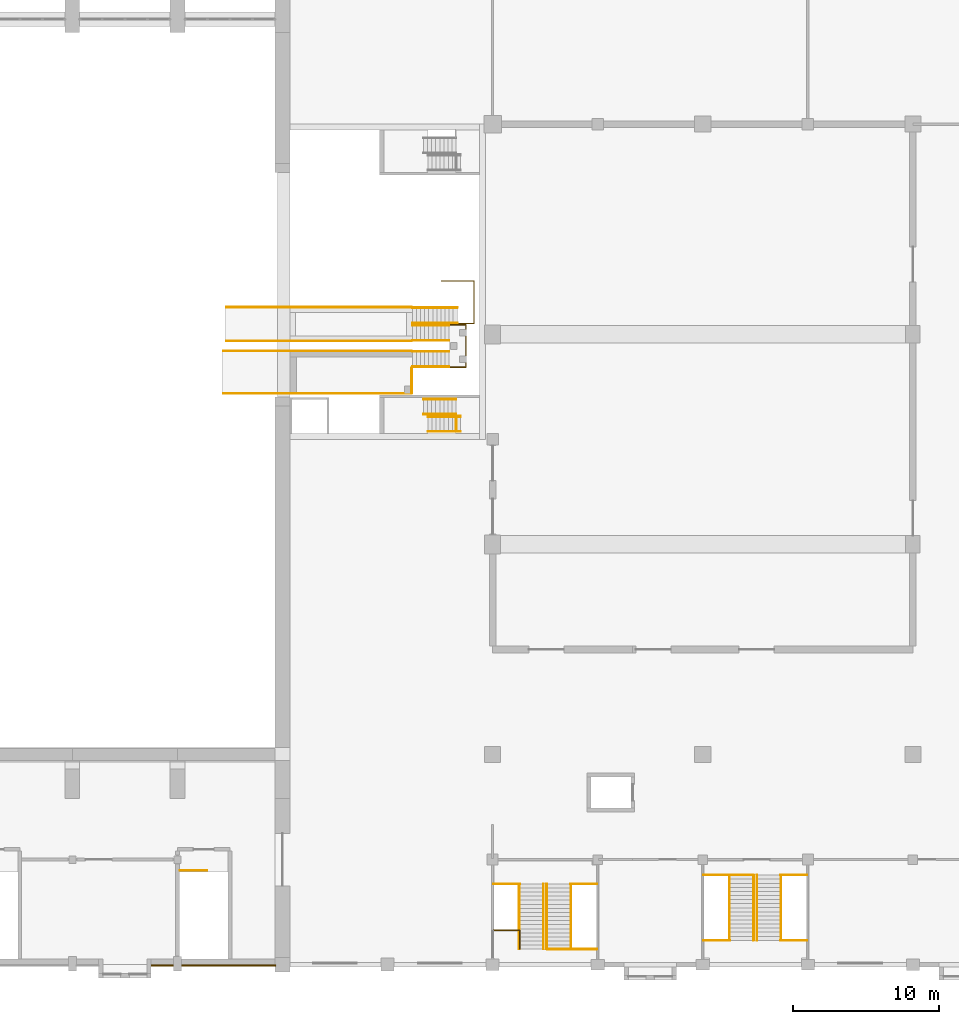
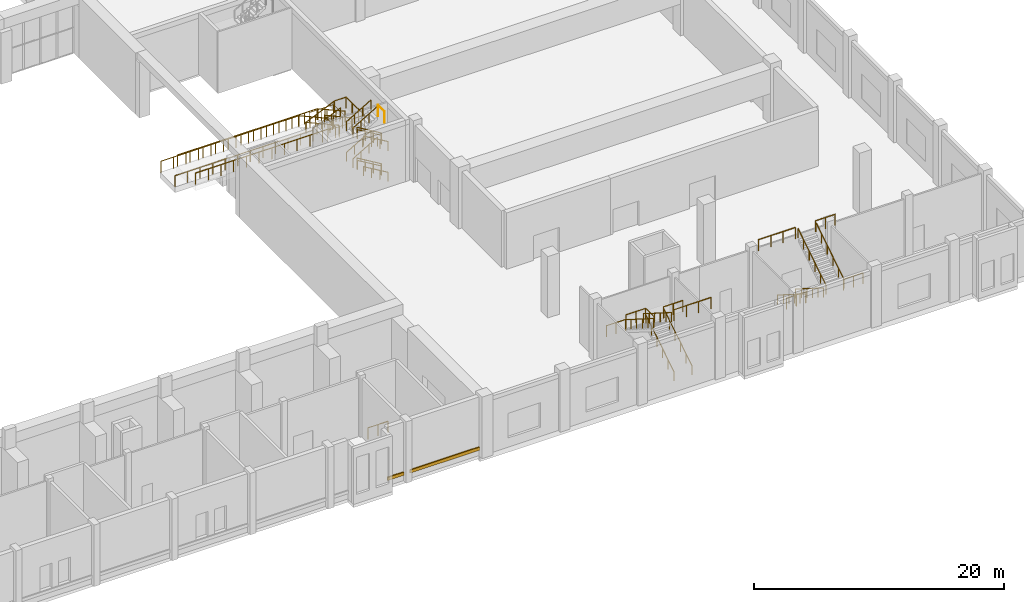
# One storey, part 41 of 44: 41 railings, 2 coverings.
"""IFC4 building model written with IfcOpenShell, lengths in metres."""

import ifcopenshell
import ifcopenshell.guid

model = None  # the IFC model being written
_history = None  # IfcOwnerHistory: only IFC2X3 demands one
_inside = {}  # id of a spatial element -> (the spatial element, [elements in it])
_under = {}  # id of a project, library or spatial element -> (it, [spatial elements below it])
_declared = {}  # id of a project -> (the project, [libraries it declares])
_typed = {}  # id of a type object -> (the type object, [elements of that type])
_made_of = {}  # id of a material, layer set ... -> (it, [elements and type objects made of it])


def new_model(schema):
    """Start an empty IFC model of exactly this schema.

    Asked for "IFC4X3", IfcOpenShell would pick the latest addendum, in which some entities
    have other attributes; the version numbers below select the first issue.
    IFC2X3 requires an IfcOwnerHistory on every rooted entity: one is made here for all.
    """
    global model, _history
    if schema == "IFC4X3":
        model = ifcopenshell.file(schema_version=(4, 3, 0, 0))
    else:
        model = ifcopenshell.file(schema=schema)
    _inside.clear()
    _under.clear()
    _declared.clear()
    _typed.clear()
    _made_of.clear()
    _history = None
    if model.schema == "IFC2X3":
        org = make("IfcOrganization", Name="unknown")
        user = make(
            "IfcPersonAndOrganization",
            ThePerson=make("IfcPerson", FamilyName="unknown"),
            TheOrganization=org,
        )
        app = make(
            "IfcApplication",
            ApplicationDeveloper=org,
            Version="unknown",
            ApplicationFullName="unknown",
            ApplicationIdentifier="unknown",
        )
        _history = make(
            "IfcOwnerHistory",
            OwningUser=user,
            OwningApplication=app,
            ChangeAction="ADDED",
            CreationDate=0,
        )
    return model


def make(cls, **values):
    """One entity of the class cls with the attributes given. An attribute that is None is left unset."""
    return model.create_entity(
        cls, **{name: value for name, value in values.items() if value is not None}
    )


def rooted(cls, **values):
    """An entity with a GlobalId (a new one), such as an element, a storey or a relation."""
    return make(cls, GlobalId=ifcopenshell.guid.new(), OwnerHistory=_history, **values)


def si_unit(unit_type, name, prefix=None):
    """IfcSIUnit, for example si_unit("LENGTHUNIT", "METRE", prefix="MILLI")."""
    return make("IfcSIUnit", UnitType=unit_type, Prefix=prefix, Name=name)


def assignment(units):
    """IfcUnitAssignment: the units of a project."""
    return None if units is None else make("IfcUnitAssignment", Units=units)


def point(xyz):
    """IfcCartesianPoint."""
    return None if xyz is None else make("IfcCartesianPoint", Coordinates=xyz)


def direction(xyz):
    """IfcDirection."""
    return None if xyz is None else make("IfcDirection", DirectionRatios=xyz)


def frame(location, z_axis=None, x_axis=None):
    """IfcAxis2Placement3D, a coordinate frame: its origin and axes. An axis left out is left unset."""
    return make(
        "IfcAxis2Placement3D",
        Location=point(location),
        Axis=direction(z_axis),
        RefDirection=direction(x_axis),
    )


def frame_2d(location, x_axis=None):
    """IfcAxis2Placement2D, a coordinate frame in the plane: its origin and x axis."""
    return make(
        "IfcAxis2Placement2D", Location=point(location), RefDirection=direction(x_axis)
    )


def origin():
    """The frame at (0, 0, 0) with its axes left unset."""
    return frame((0.0, 0.0, 0.0))


def origin_2d():
    """The frame at (0, 0) in the plane with its x axis left unset."""
    return frame_2d((0.0, 0.0))


def place(relative_to, where):
    """IfcLocalPlacement: puts the frame where relative to a parent placement (None: the world)."""
    return make(
        "IfcLocalPlacement", PlacementRelTo=relative_to, RelativePlacement=where
    )


def context(
    kind, dimensions, precision=None, world=None, true_north=None, identifier=None
):
    """IfcGeometricRepresentationContext, for example the 3D "Model" context."""
    return make(
        "IfcGeometricRepresentationContext",
        ContextIdentifier=identifier,
        ContextType=kind,
        CoordinateSpaceDimension=dimensions,
        Precision=precision,
        WorldCoordinateSystem=world,
        TrueNorth=true_north,
    )


def subcontext(parent, identifier, kind, view, scale=None):
    """IfcGeometricRepresentationSubContext, for example "Body" below "Model"."""
    return make(
        "IfcGeometricRepresentationSubContext",
        ContextIdentifier=identifier,
        ContextType=kind,
        ParentContext=parent,
        TargetScale=scale,
        TargetView=view,
    )


def project(units=None, contexts=None):
    """IfcProject with its units and contexts."""
    return rooted(
        "IfcProject",
        Name="project",
        RepresentationContexts=contexts,
        UnitsInContext=assignment(units),
    )


def spatial(cls, under=None, at=None, **own):
    """A site, building, storey or space (cls), placed at a placement, below another one or the project."""
    s = rooted(cls, ObjectPlacement=at, **own)
    if under is not None:
        _under.setdefault(under.id(), (under, []))[1].append(s)
    return s


def profile(cls, at=None, kind="AREA", **sizes):
    """A parametric profile (cls). Its sizes go by their IFC names, for example OverallWidth=200.0."""
    return make(cls, ProfileType=kind, Position=at, **sizes)


def rectangle(**sizes):
    """IfcRectangleProfileDef."""
    return profile("IfcRectangleProfileDef", **sizes)


def circle(**sizes):
    """IfcCircleProfileDef."""
    return profile("IfcCircleProfileDef", **sizes)


def extrude(swept, where, along, depth):
    """IfcExtrudedAreaSolid: the profile swept, set in the frame where, extruded along a direction by depth."""
    return make(
        "IfcExtrudedAreaSolid",
        SweptArea=swept,
        Position=where,
        ExtrudedDirection=direction(along),
        Depth=depth,
    )


def shape(context_of_items, identifier, shape_type, items):
    """IfcShapeRepresentation: the items that make up one representation, for example the "Body"."""
    return make(
        "IfcShapeRepresentation",
        ContextOfItems=context_of_items,
        RepresentationIdentifier=identifier,
        RepresentationType=shape_type,
        Items=items,
    )


def material(Name=None, Category=None):
    """IfcMaterial."""
    return make("IfcMaterial", Name=Name, Category=Category)


def layer(
    of_material, thickness, ventilated=None, Name=None, Category=None, Priority=None
):
    """IfcMaterialLayer: one layer of a wall or slab, of a material (None: an air gap)."""
    return make(
        "IfcMaterialLayer",
        Material=of_material,
        LayerThickness=thickness,
        IsVentilated=ventilated,
        Name=Name,
        Category=Category,
        Priority=Priority,
    )


def layer_set(layers, Name=None):
    """IfcMaterialLayerSet."""
    return make("IfcMaterialLayerSet", MaterialLayers=layers, LayerSetName=Name)


def made_of(thing, what):
    """Note that an element or type object is made of a material, layer set ...; save() writes the relation."""
    if what is not None:
        _made_of.setdefault(what.id(), (what, []))[1].append(thing)
    return thing


def type_object(cls, material=None, **own):
    """A type object (cls), such as IfcWallType, which elements share."""
    return made_of(rooted(cls, **own), material)


def element(
    cls,
    number,
    at=None,
    inside=None,
    cuts=None,
    type_object=None,
    material=None,
    context=None,
    identifier="Body",
    shape_type=None,
    held_by="IfcProductDefinitionShape",
    body=None,
    shapes=None,
    **own,
):
    """One element of the class cls, such as IfcWall. Its Tag is "e" and its number.

    at: its placement. inside: the storey or other place that contains it. cuts: it is an
    opening in that element (IfcRelVoidsElement). A single representation is given by context,
    identifier, shape_type and body (its items); several are given by shapes. held_by: the class
    of the entity that holds the representations. save() writes the other relations.
    """
    e = rooted(cls, Tag="e%d" % number, ObjectPlacement=at, **own)
    if body is not None:
        shapes = [shape(context, identifier, shape_type, body)]
    if shapes is not None:
        e.Representation = make(held_by, Representations=shapes)
    if inside is not None:
        _inside.setdefault(inside.id(), (inside, []))[1].append(e)
    if cuts is not None:
        rooted(
            "IfcRelVoidsElement", RelatingBuildingElement=cuts, RelatedOpeningElement=e
        )
    if type_object is not None:
        _typed.setdefault(type_object.id(), (type_object, []))[1].append(e)
    return made_of(e, material)


def aggregate(whole, parts):
    """IfcRelAggregates: a whole, such as a stair, and the parts it consists of."""
    return rooted("IfcRelAggregates", RelatingObject=whole, RelatedObjects=parts)


def save(model, path):
    """Write the relations noted so far, then the file.

    IfcRelAggregates (storeys below a building ...), IfcRelContainedInSpatialStructure (elements
    in a storey), IfcRelDefinesByType, IfcRelAssociatesMaterial and IfcRelDeclares: one each for
    every whole, place, type object, material and project.
    """
    for whole, parts in _under.values():
        aggregate(whole, parts)
    for where, things in _inside.values():
        rooted(
            "IfcRelContainedInSpatialStructure",
            RelatedElements=things,
            RelatingStructure=where,
        )
    for kind, things in _typed.values():
        rooted("IfcRelDefinesByType", RelatedObjects=things, RelatingType=kind)
    for what, things in _made_of.values():
        rooted("IfcRelAssociatesMaterial", RelatedObjects=things, RelatingMaterial=what)
    for by, libraries in _declared.values():
        rooted("IfcRelDeclares", RelatingContext=by, RelatedDefinitions=libraries)
    model.write(path)


model = new_model("IFC4")

# Units and contexts
model_context = context("Model", 3, precision=1e-05, world=origin(), true_north=direction((0.0, 1.0)))
body_context = subcontext(model_context, "Body", "Model", "MODEL_VIEW")
ifc_project = project(units=[si_unit("LENGTHUNIT", "METRE"), si_unit("AREAUNIT", "SQUARE_METRE"), si_unit("VOLUMEUNIT", "CUBIC_METRE"), si_unit("PLANEANGLEUNIT", "RADIAN"), si_unit("MASSUNIT", "GRAM", prefix="KILO")], contexts=[model_context])

# Site, building, storey
site_placement = place(None, origin())
site = spatial("IfcSite", under=ifc_project, at=site_placement, CompositionType="ELEMENT")
building_placement = place(site_placement, origin())
building = spatial("IfcBuilding", under=site, at=building_placement, Name="Vermilion Court Aquatics Centre", CompositionType="ELEMENT")
storey_placement = place(building_placement, frame((0.0, 0.0, 6.0)))
storey = spatial("IfcBuildingStorey", under=building, at=storey_placement, Name="L01", CompositionType="ELEMENT", Elevation=6.0)

# Railings
ifc_material_1 = material(Name="Steel ASTM A992 Grade 50", Category="steel")
railing_type_1 = type_object("IfcRailingType", Name="Diving Tower stair guard 1100", PredefinedType="GUARDRAIL", material=ifc_material_1)
for number, where, name in (
    (1, (156.199951171875, 37.60498046875, 0.166748046875), "Stair 1 guard well L01"),
    (2, (156.199951171875, 37.60498046875, 3.166748046875), "Stair 1 guard well L01"),
):
    element("IfcRailing", number, at=place(storey_placement, frame(where)), inside=storey, type_object=railing_type_1, Name=name, PredefinedType="GUARDRAIL", context=body_context, shape_type="SweptSolid", body=[
        extrude(circle(Radius=0.02392578125, at=origin_2d()), frame((0.0, 0.0, 1.076171875), z_axis=(-0.859305625298, 0.0, 0.511462454469), x_axis=(0.0, -1.0, 0.0)), (0.0, 0.0, 1.0), 2.606689453125),
        extrude(circle(Radius=0.02099609375, at=origin_2d()), origin(), (0.0, 0.0, 1.0), 1.052001953125),
        extrude(circle(Radius=0.02099609375, at=origin_2d()), frame((-0.74658203125, 0.0, 0.4443359375)), (0.0, 0.0, 1.0), 1.052001953125),
        extrude(circle(Radius=0.02099609375, at=origin_2d()), frame((-1.493408203125, 0.0, 0.888916015625)), (0.0, 0.0, 1.0), 1.052001953125),
        extrude(circle(Radius=0.02099609375, at=origin_2d()), frame((-2.239990234375, 0.0, 1.333251953125)), (0.0, 0.0, 1.0), 1.052001953125),
    ])
railing_1_placement = place(storey_placement, frame((155.89990234375, 37.60009765625, 6.0)))
element("IfcRailing", 3, at=railing_1_placement, inside=storey, type_object=railing_type_1, Name="Stair 1 floor edge guard L01", PredefinedType="GUARDRAIL", context=body_context, shape_type="SweptSolid", body=[
    extrude(circle(Radius=0.02392578125, at=origin_2d()), frame((0.0, 0.0, 1.076171875), z_axis=(0.0, -1.0, 0.0), x_axis=(1.0, 0.0, 0.0)), (0.0, 0.0, 1.0), 1.070068359375),
    extrude(circle(Radius=0.02099609375, at=origin_2d()), origin(), (0.0, 0.0, 1.0), 1.052001953125),
    extrude(circle(Radius=0.02099609375, at=origin_2d()), frame((0.0, -1.070068359375, 0.0)), (0.0, 0.0, 1.0), 1.052001953125),
])
ifc_material_2 = material(Name="Steel ASTM A992 Grade 50", Category="steel")
railing_type_2 = type_object("IfcRailingType", Name="Diving Tower stair handrail 900", PredefinedType="HANDRAIL", material=ifc_material_2)
for number, where, name in (
    (4, (156.199951171875, 36.550048828125, 0.166748046875), "Stair 1 handrail wall L01"),
    (5, (156.199951171875, 37.554931640625, 0.166748046875), "Stair 1 handrail well L01"),
):
    element("IfcRailing", number, at=place(storey_placement, frame(where)), inside=storey, type_object=railing_type_2, Name=name, PredefinedType="HANDRAIL", context=body_context, shape_type="SweptSolid", body=[
        extrude(circle(Radius=0.02392578125, at=origin_2d()), frame((0.0, 0.0, 0.8759765625), z_axis=(-0.859305625298, 0.0, 0.511462454469), x_axis=(0.0, -1.0, 0.0)), (0.0, 0.0, 1.0), 2.606689453125),
        extrude(circle(Radius=0.02099609375, at=origin_2d()), origin(), (0.0, 0.0, 1.0), 0.851806640625),
        extrude(circle(Radius=0.02099609375, at=origin_2d()), frame((-0.74658203125, 0.0, 0.4443359375)), (0.0, 0.0, 1.0), 0.851806640625),
        extrude(circle(Radius=0.02099609375, at=origin_2d()), frame((-1.493408203125, 0.0, 0.888916015625)), (0.0, 0.0, 1.0), 0.851806640625),
        extrude(circle(Radius=0.02099609375, at=origin_2d()), frame((-2.239990234375, 0.0, 1.333251953125)), (0.0, 0.0, 1.0), 0.851806640625),
    ])
for number, where, name in (
    (6, (153.659912109375, 38.75, 1.666748046875), "Stair 1 handrail wall L01"),
    (7, (153.659912109375, 37.719970703125, 1.666748046875), "Stair 1 handrail well L01"),
):
    element("IfcRailing", number, at=place(storey_placement, frame(where)), inside=storey, type_object=railing_type_2, Name=name, PredefinedType="HANDRAIL", context=body_context, shape_type="SweptSolid", body=[
        extrude(circle(Radius=0.02392578125, at=origin_2d()), frame((0.0, 0.0, 0.8759765625), z_axis=(0.859305625298, 0.0, 0.511462454469), x_axis=(0.0, 1.0, 0.0)), (0.0, 0.0, 1.0), 2.606689453125),
        extrude(circle(Radius=0.02099609375, at=origin_2d()), origin(), (0.0, 0.0, 1.0), 0.851806640625),
        extrude(circle(Radius=0.02099609375, at=origin_2d()), frame((0.74658203125, 0.0, 0.4443359375)), (0.0, 0.0, 1.0), 0.851806640625),
        extrude(circle(Radius=0.02099609375, at=origin_2d()), frame((1.493408203125, 0.0, 0.888916015625)), (0.0, 0.0, 1.0), 0.851806640625),
        extrude(circle(Radius=0.02099609375, at=origin_2d()), frame((2.239990234375, 0.0, 1.333251953125)), (0.0, 0.0, 1.0), 0.851806640625),
    ])
for number, where, name in (
    (8, (156.199951171875, 36.550048828125, 3.166748046875), "Stair 1 handrail wall L01"),
    (9, (156.199951171875, 37.554931640625, 3.166748046875), "Stair 1 handrail well L01"),
):
    element("IfcRailing", number, at=place(storey_placement, frame(where)), inside=storey, type_object=railing_type_2, Name=name, PredefinedType="HANDRAIL", context=body_context, shape_type="SweptSolid", body=[
        extrude(circle(Radius=0.02392578125, at=origin_2d()), frame((0.0, 0.0, 0.8759765625), z_axis=(-0.859305625298, 0.0, 0.511462454469), x_axis=(0.0, -1.0, 0.0)), (0.0, 0.0, 1.0), 2.606689453125),
        extrude(circle(Radius=0.02099609375, at=origin_2d()), origin(), (0.0, 0.0, 1.0), 0.851806640625),
        extrude(circle(Radius=0.02099609375, at=origin_2d()), frame((-0.74658203125, 0.0, 0.4443359375)), (0.0, 0.0, 1.0), 0.851806640625),
        extrude(circle(Radius=0.02099609375, at=origin_2d()), frame((-1.493408203125, 0.0, 0.888916015625)), (0.0, 0.0, 1.0), 0.851806640625),
        extrude(circle(Radius=0.02099609375, at=origin_2d()), frame((-2.239990234375, 0.0, 1.333251953125)), (0.0, 0.0, 1.0), 0.851806640625),
    ])
for number, where, name in (
    (10, (153.659912109375, 38.75, 4.666748046875), "Stair 1 handrail wall L01"),
    (11, (153.659912109375, 37.719970703125, 4.666748046875), "Stair 1 handrail well L01"),
):
    element("IfcRailing", number, at=place(storey_placement, frame(where)), inside=storey, type_object=railing_type_2, Name=name, PredefinedType="HANDRAIL", context=body_context, shape_type="SweptSolid", body=[
        extrude(circle(Radius=0.02392578125, at=origin_2d()), frame((0.0, 0.0, 0.8759765625), z_axis=(0.859305625298, 0.0, 0.511462454469), x_axis=(0.0, 1.0, 0.0)), (0.0, 0.0, 1.0), 2.606689453125),
        extrude(circle(Radius=0.02099609375, at=origin_2d()), origin(), (0.0, 0.0, 1.0), 0.851806640625),
        extrude(circle(Radius=0.02099609375, at=origin_2d()), frame((0.74658203125, 0.0, 0.4443359375)), (0.0, 0.0, 1.0), 0.851806640625),
        extrude(circle(Radius=0.02099609375, at=origin_2d()), frame((1.493408203125, 0.0, 0.888916015625)), (0.0, 0.0, 1.0), 0.851806640625),
        extrude(circle(Radius=0.02099609375, at=origin_2d()), frame((2.239990234375, 0.0, 1.333251953125)), (0.0, 0.0, 1.0), 0.851806640625),
    ])
ifc_material_3 = material(Name="Steel ASTM A992 Grade 50", Category="steel")
railing_type_3 = type_object("IfcRailingType", Name="Hall guard 1100", PredefinedType="GUARDRAIL", material=ifc_material_3)
for number, where, name in (
    (12, (140.14990234375, 42.75, 1.5), "Diving platform 7.5 m guard"),
    (13, (140.14990234375, 45.050048828125, 1.5), "Diving platform 7.5 m guard"),
):
    element("IfcRailing", number, at=place(storey_placement, frame(where)), inside=storey, type_object=railing_type_3, Name=name, PredefinedType="GUARDRAIL", context=body_context, shape_type="SweptSolid", body=[
        extrude(circle(Radius=0.02392578125, at=origin_2d()), frame((0.0, 0.0, 1.076171875), z_axis=(1.0, 0.0, 0.0), x_axis=(0.0, 1.0, 0.0)), (0.0, 0.0, 1.0), 12.7001953125),
        extrude(circle(Radius=0.02099609375, at=origin_2d()), origin(), (0.0, 0.0, 1.0), 1.052001953125),
        extrude(circle(Radius=0.02099609375, at=origin_2d()), frame((1.154541015625, 0.0, 0.0)), (0.0, 0.0, 1.0), 1.052001953125),
        extrude(circle(Radius=0.02099609375, at=origin_2d()), frame((2.30908203125, 0.0, 0.0)), (0.0, 0.0, 1.0), 1.052001953125),
        extrude(circle(Radius=0.02099609375, at=origin_2d()), frame((3.463623046875, 0.0, 0.0)), (0.0, 0.0, 1.0), 1.052001953125),
        extrude(circle(Radius=0.02099609375, at=origin_2d()), frame((4.6181640625, 0.0, 0.0)), (0.0, 0.0, 1.0), 1.052001953125),
        extrude(circle(Radius=0.02099609375, at=origin_2d()), frame((5.772705078125, 0.0, 0.0)), (0.0, 0.0, 1.0), 1.052001953125),
        extrude(circle(Radius=0.02099609375, at=origin_2d()), frame((6.927490234375, 0.0, 0.0)), (0.0, 0.0, 1.0), 1.052001953125),
        extrude(circle(Radius=0.02099609375, at=origin_2d()), frame((8.08203125, 0.0, 0.0)), (0.0, 0.0, 1.0), 1.052001953125),
        extrude(circle(Radius=0.02099609375, at=origin_2d()), frame((9.236572265625, 0.0, 0.0)), (0.0, 0.0, 1.0), 1.052001953125),
        extrude(circle(Radius=0.02099609375, at=origin_2d()), frame((10.39111328125, 0.0, 0.0)), (0.0, 0.0, 1.0), 1.052001953125),
        extrude(circle(Radius=0.02099609375, at=origin_2d()), frame((11.545654296875, 0.0, 0.0)), (0.0, 0.0, 1.0), 1.052001953125),
        extrude(circle(Radius=0.02099609375, at=origin_2d()), frame((12.7001953125, 0.0, 0.0)), (0.0, 0.0, 1.0), 1.052001953125),
    ])
for number, where, name in (
    (14, (139.949951171875, 39.14990234375, 4.0), "Diving platform 10 m guard"),
    (15, (139.949951171875, 42.050048828125, 4.0), "Diving platform 10 m guard"),
):
    element("IfcRailing", number, at=place(storey_placement, frame(where)), inside=storey, type_object=railing_type_3, Name=name, PredefinedType="GUARDRAIL", context=body_context, shape_type="SweptSolid", body=[
        extrude(circle(Radius=0.02392578125, at=origin_2d()), frame((0.0, 0.0, 1.076171875), z_axis=(1.0, 0.0, 0.0), x_axis=(0.0, 1.0, 0.0)), (0.0, 0.0, 1.0), 12.900146484375),
        extrude(circle(Radius=0.02099609375, at=origin_2d()), origin(), (0.0, 0.0, 1.0), 1.052001953125),
        extrude(circle(Radius=0.02099609375, at=origin_2d()), frame((1.1728515625, 0.0, 0.0)), (0.0, 0.0, 1.0), 1.052001953125),
        extrude(circle(Radius=0.02099609375, at=origin_2d()), frame((2.345458984375, 0.0, 0.0)), (0.0, 0.0, 1.0), 1.052001953125),
        extrude(circle(Radius=0.02099609375, at=origin_2d()), frame((3.518310546875, 0.0, 0.0)), (0.0, 0.0, 1.0), 1.052001953125),
        extrude(circle(Radius=0.02099609375, at=origin_2d()), frame((4.69091796875, 0.0, 0.0)), (0.0, 0.0, 1.0), 1.052001953125),
        extrude(circle(Radius=0.02099609375, at=origin_2d()), frame((5.86376953125, 0.0, 0.0)), (0.0, 0.0, 1.0), 1.052001953125),
        extrude(circle(Radius=0.02099609375, at=origin_2d()), frame((7.036376953125, 0.0, 0.0)), (0.0, 0.0, 1.0), 1.052001953125),
        extrude(circle(Radius=0.02099609375, at=origin_2d()), frame((8.209228515625, 0.0, 0.0)), (0.0, 0.0, 1.0), 1.052001953125),
        extrude(circle(Radius=0.02099609375, at=origin_2d()), frame((9.3818359375, 0.0, 0.0)), (0.0, 0.0, 1.0), 1.052001953125),
        extrude(circle(Radius=0.02099609375, at=origin_2d()), frame((10.5546875, 0.0, 0.0)), (0.0, 0.0, 1.0), 1.052001953125),
        extrude(circle(Radius=0.02099609375, at=origin_2d()), frame((11.727294921875, 0.0, 0.0)), (0.0, 0.0, 1.0), 1.052001953125),
        extrude(circle(Radius=0.02099609375, at=origin_2d()), frame((12.900146484375, 0.0, 0.0)), (0.0, 0.0, 1.0), 1.052001953125),
    ])
railing_2_placement = place(storey_placement, frame((152.85009765625, 39.14990234375, 4.0)))
element("IfcRailing", 16, at=railing_2_placement, inside=storey, type_object=railing_type_3, Name="Diving platform 10 m guard", PredefinedType="GUARDRAIL", context=body_context, shape_type="SweptSolid", body=[
    extrude(circle(Radius=0.02392578125, at=origin_2d()), frame((0.0, 0.0, 1.076171875), z_axis=(0.0, 1.0, 0.0), x_axis=(-1.0, 0.0, 0.0)), (0.0, 0.0, 1.0), 1.72509765625),
    extrude(circle(Radius=0.02099609375, at=origin_2d()), origin(), (0.0, 0.0, 1.0), 1.052001953125),
    extrude(circle(Radius=0.02099609375, at=origin_2d()), frame((0.0, 0.862548828125, 0.0)), (0.0, 0.0, 1.0), 1.052001953125),
    extrude(circle(Radius=0.02099609375, at=origin_2d()), frame((0.0, 1.72509765625, 0.0)), (0.0, 0.0, 1.0), 1.052001953125),
])
railing_3_placement = place(storey_placement, frame((154.909912109375, 43.949951171875, 0.0)))
element("IfcRailing", 17, at=railing_3_placement, inside=storey, type_object=railing_type_3, Name="Diving tower landing guard A.3", PredefinedType="GUARDRAIL", context=body_context, shape_type="SweptSolid", body=[
    extrude(circle(Radius=0.02392578125, at=origin_2d()), frame((0.0, 0.0, 1.076171875), z_axis=(1.0, 0.0, 0.0), x_axis=(0.0, 1.0, 0.0)), (0.0, 0.0, 1.0), 2.219970703125),
    extrude(circle(Radius=0.02392578125, at=origin_2d()), frame((2.219970703125, 0.0, 1.076171875), z_axis=(0.0, 1.0, 0.0), x_axis=(-1.0, 0.0, 0.0)), (0.0, 0.0, 1.0), 2.900146484375),
    extrude(circle(Radius=0.02392578125, at=origin_2d()), frame((2.219970703125, 2.900146484375, 1.076171875), z_axis=(-1.0, 0.0, 0.0), x_axis=(0.0, -1.0, 0.0)), (0.0, 0.0, 1.0), 2.219970703125),
    extrude(circle(Radius=0.02099609375, at=origin_2d()), origin(), (0.0, 0.0, 1.0), 1.052001953125),
    extrude(circle(Radius=0.02099609375, at=origin_2d()), frame((1.10986328125, 0.0, 0.0)), (0.0, 0.0, 1.0), 1.052001953125),
    extrude(circle(Radius=0.02099609375, at=origin_2d()), frame((2.219970703125, 0.0, 0.0)), (0.0, 0.0, 1.0), 1.052001953125),
    extrude(circle(Radius=0.02099609375, at=origin_2d()), frame((2.219970703125, 0.966796875, 0.0)), (0.0, 0.0, 1.0), 1.052001953125),
    extrude(circle(Radius=0.02099609375, at=origin_2d()), frame((2.219970703125, 1.933349609375, 0.0)), (0.0, 0.0, 1.0), 1.052001953125),
    extrude(circle(Radius=0.02099609375, at=origin_2d()), frame((2.219970703125, 2.900146484375, 0.0)), (0.0, 0.0, 1.0), 1.052001953125),
    extrude(circle(Radius=0.02099609375, at=origin_2d()), frame((1.10986328125, 2.900146484375, 0.0)), (0.0, 0.0, 1.0), 1.052001953125),
    extrude(circle(Radius=0.02099609375, at=origin_2d()), frame((0.0, 2.900146484375, 0.0)), (0.0, 0.0, 1.0), 1.052001953125),
])
for number, where, name in (
    (18, (155.97998046875, 45.02490234375, 0.125), "Diving tower stair B guard"),
    (19, (155.97998046875, 43.97509765625, 0.125), "Diving tower stair B guard"),
):
    element("IfcRailing", number, at=place(storey_placement, frame(where)), inside=storey, type_object=railing_type_3, Name=name, PredefinedType="GUARDRAIL", context=body_context, shape_type="SweptSolid", body=[
        extrude(circle(Radius=0.02392578125, at=origin_2d()), frame((0.0, 0.0, 1.076171875), z_axis=(-0.913141731355, 0.0, 0.40764221869), x_axis=(0.0, -1.0, 0.0)), (0.0, 0.0, 1.0), 3.373046875),
        extrude(circle(Radius=0.02099609375, at=origin_2d()), origin(), (0.0, 0.0, 1.0), 1.052001953125),
        extrude(circle(Radius=0.02099609375, at=origin_2d()), frame((-1.026611328125, 0.0, 0.458251953125)), (0.0, 0.0, 1.0), 1.052001953125),
        extrude(circle(Radius=0.02099609375, at=origin_2d()), frame((-2.053466796875, 0.0, 0.916748046875)), (0.0, 0.0, 1.0), 1.052001953125),
        extrude(circle(Radius=0.02099609375, at=origin_2d()), frame((-3.080078125, 0.0, 1.375)), (0.0, 0.0, 1.0), 1.052001953125),
    ])
for number, where, name in (
    (20, (152.89990234375, 43.824951171875, 1.625), "Diving tower stair B guard"),
    (21, (152.89990234375, 42.77490234375, 1.625), "Diving tower stair B guard"),
):
    element("IfcRailing", number, at=place(storey_placement, frame(where)), inside=storey, type_object=railing_type_3, Name=name, PredefinedType="GUARDRAIL", context=body_context, shape_type="SweptSolid", body=[
        extrude(circle(Radius=0.02392578125, at=origin_2d()), frame((0.0, 0.0, 1.076171875), z_axis=(0.913139058521, 0.0, 0.407648205936), x_axis=(0.0, 1.0, 0.0)), (0.0, 0.0, 1.0), 2.759765625),
        extrude(circle(Radius=0.02099609375, at=origin_2d()), origin(), (0.0, 0.0, 1.0), 1.052001953125),
        extrude(circle(Radius=0.02099609375, at=origin_2d()), frame((0.840087890625, 0.0, 0.375)), (0.0, 0.0, 1.0), 1.052001953125),
        extrude(circle(Radius=0.02099609375, at=origin_2d()), frame((1.679931640625, 0.0, 0.75)), (0.0, 0.0, 1.0), 1.052001953125),
        extrude(circle(Radius=0.02099609375, at=origin_2d()), frame((2.52001953125, 0.0, 1.125)), (0.0, 0.0, 1.0), 1.052001953125),
    ])
for number, where, name in (
    (22, (155.419921875, 42.02490234375, 2.875), "Diving tower stair B guard"),
    (23, (155.419921875, 40.97509765625, 2.875), "Diving tower stair B guard"),
):
    element("IfcRailing", number, at=place(storey_placement, frame(where)), inside=storey, type_object=railing_type_3, Name=name, PredefinedType="GUARDRAIL", context=body_context, shape_type="SweptSolid", body=[
        extrude(circle(Radius=0.02392578125, at=origin_2d()), frame((0.0, 0.0, 1.076171875), z_axis=(-0.913139058521, 0.0, 0.407648205936), x_axis=(0.0, -1.0, 0.0)), (0.0, 0.0, 1.0), 2.759765625),
        extrude(circle(Radius=0.02099609375, at=origin_2d()), origin(), (0.0, 0.0, 1.0), 1.052001953125),
        extrude(circle(Radius=0.02099609375, at=origin_2d()), frame((-0.840087890625, 0.0, 0.375)), (0.0, 0.0, 1.0), 1.052001953125),
        extrude(circle(Radius=0.02099609375, at=origin_2d()), frame((-1.679931640625, 0.0, 0.75)), (0.0, 0.0, 1.0), 1.052001953125),
        extrude(circle(Radius=0.02099609375, at=origin_2d()), frame((-2.52001953125, 0.0, 1.125)), (0.0, 0.0, 1.0), 1.052001953125),
    ])
railing_4_placement = place(storey_placement, frame((155.469970703125, 40.949951171875, 2.75)))
element("IfcRailing", 24, at=railing_4_placement, inside=storey, type_object=railing_type_3, Name="Diving tower landing guard B.1", PredefinedType="GUARDRAIL", context=body_context, shape_type="SweptSolid", body=[
    extrude(circle(Radius=0.02392578125, at=origin_2d()), frame((0.0, 0.0, 1.076171875), z_axis=(1.0, 0.0, 0.0), x_axis=(0.0, 1.0, 0.0)), (0.0, 0.0, 1.0), 1.10009765625),
    extrude(circle(Radius=0.02392578125, at=origin_2d()), frame((1.10009765625, 0.0, 1.076171875), z_axis=(0.0, 1.0, 0.0), x_axis=(-1.0, 0.0, 0.0)), (0.0, 0.0, 1.0), 2.900146484375),
    extrude(circle(Radius=0.02392578125, at=origin_2d()), frame((1.10009765625, 2.900146484375, 1.076171875), z_axis=(-1.0, 0.0, 0.0), x_axis=(0.0, -1.0, 0.0)), (0.0, 0.0, 1.0), 1.10009765625),
    extrude(circle(Radius=0.02099609375, at=origin_2d()), origin(), (0.0, 0.0, 1.0), 1.052001953125),
    extrude(circle(Radius=0.02099609375, at=origin_2d()), frame((1.10009765625, 0.0, 0.0)), (0.0, 0.0, 1.0), 1.052001953125),
    extrude(circle(Radius=0.02099609375, at=origin_2d()), frame((1.10009765625, 0.966796875, 0.0)), (0.0, 0.0, 1.0), 1.052001953125),
    extrude(circle(Radius=0.02099609375, at=origin_2d()), frame((1.10009765625, 1.933349609375, 0.0)), (0.0, 0.0, 1.0), 1.052001953125),
    extrude(circle(Radius=0.02099609375, at=origin_2d()), frame((1.10009765625, 2.900146484375, 0.0)), (0.0, 0.0, 1.0), 1.052001953125),
    extrude(circle(Radius=0.02099609375, at=origin_2d()), frame((0.0, 2.900146484375, 0.0)), (0.0, 0.0, 1.0), 1.052001953125),
])
ifc_material_4 = material(Name="Steel ASTM A992 Grade 50", Category="steel")
railing_type_4 = type_object("IfcRailingType", Name="Podium stair guard 1100", PredefinedType="GUARDRAIL", material=ifc_material_4)
railing_5_placement = place(storey_placement, frame((165.53759765625, 5.534423828125, 3.0)))
element("IfcRailing", 25, at=railing_5_placement, inside=storey, type_object=railing_type_4, Name="Stair guard P1", PredefinedType="GUARDRAIL", context=body_context, shape_type="SweptSolid", body=[
    extrude(circle(Radius=0.02392578125, at=origin_2d()), frame((0.0, 0.0, 1.076171875), z_axis=(-1.0, 0.0, 0.0), x_axis=(0.0, -1.0, 0.0)), (0.0, 0.0, 1.0), 1.797607421875),
    extrude(circle(Radius=0.02099609375, at=origin_2d()), origin(), (0.0, 0.0, 1.0), 1.052001953125),
    extrude(circle(Radius=0.02099609375, at=origin_2d()), frame((-0.89892578125, 0.0, 0.0)), (0.0, 0.0, 1.0), 1.052001953125),
    extrude(circle(Radius=0.02099609375, at=origin_2d()), frame((-1.797607421875, 0.0, 0.0)), (0.0, 0.0, 1.0), 1.052001953125),
])
railing_6_placement = place(storey_placement, frame((165.53759765625, 1.0625, 6.0)))
element("IfcRailing", 26, at=railing_6_placement, inside=storey, type_object=railing_type_4, Name="Stair guard P1", PredefinedType="GUARDRAIL", context=body_context, shape_type="SweptSolid", body=[
    extrude(circle(Radius=0.02392578125, at=origin_2d()), frame((0.0, 0.0, 1.076171875), z_axis=(-1.0, 0.0, 0.0), x_axis=(0.0, -1.0, 0.0)), (0.0, 0.0, 1.0), 3.397705078125),
    extrude(circle(Radius=0.02099609375, at=origin_2d()), origin(), (0.0, 0.0, 1.0), 1.052001953125),
    extrude(circle(Radius=0.02099609375, at=origin_2d()), frame((-1.132568359375, 0.0, 0.0)), (0.0, 0.0, 1.0), 1.052001953125),
    extrude(circle(Radius=0.02099609375, at=origin_2d()), frame((-2.26513671875, 0.0, 0.0)), (0.0, 0.0, 1.0), 1.052001953125),
    extrude(circle(Radius=0.02099609375, at=origin_2d()), frame((-3.397705078125, 0.0, 0.0)), (0.0, 0.0, 1.0), 1.052001953125),
])
railing_7_placement = place(storey_placement, frame((158.46240234375, 5.534423828125, 3.0)))
element("IfcRailing", 27, at=railing_7_placement, inside=storey, type_object=railing_type_4, Name="Stair guard P1", PredefinedType="GUARDRAIL", context=body_context, shape_type="SweptSolid", body=[
    extrude(circle(Radius=0.02392578125, at=origin_2d()), frame((0.0, 0.0, 1.076171875), z_axis=(1.0, 0.0, 0.0), x_axis=(0.0, 1.0, 0.0)), (0.0, 0.0, 1.0), 1.797607421875),
    extrude(circle(Radius=0.02099609375, at=origin_2d()), origin(), (0.0, 0.0, 1.0), 1.052001953125),
    extrude(circle(Radius=0.02099609375, at=origin_2d()), frame((0.89892578125, 0.0, 0.0)), (0.0, 0.0, 1.0), 1.052001953125),
    extrude(circle(Radius=0.02099609375, at=origin_2d()), frame((1.797607421875, 0.0, 0.0)), (0.0, 0.0, 1.0), 1.052001953125),
])
railing_8_placement = place(storey_placement, frame((158.46240234375, 2.362548828125, 6.0)))
element("IfcRailing", 28, at=railing_8_placement, inside=storey, type_object=railing_type_4, Name="Stair guard P1", PredefinedType="GUARDRAIL", context=body_context, shape_type="SweptSolid", body=[
    extrude(circle(Radius=0.02392578125, at=origin_2d()), frame((0.0, 0.0, 1.076171875), z_axis=(1.0, 0.0, 0.0), x_axis=(0.0, 1.0, 0.0)), (0.0, 0.0, 1.0), 1.797607421875),
    extrude(circle(Radius=0.02392578125, at=origin_2d()), frame((1.797607421875, 0.0, 1.076171875), z_axis=(0.0, -1.0, 0.0), x_axis=(1.0, 0.0, 0.0)), (0.0, 0.0, 1.0), 1.300048828125),
    extrude(circle(Radius=0.02099609375, at=origin_2d()), origin(), (0.0, 0.0, 1.0), 1.052001953125),
    extrude(circle(Radius=0.02099609375, at=origin_2d()), frame((0.89892578125, 0.0, 0.0)), (0.0, 0.0, 1.0), 1.052001953125),
    extrude(circle(Radius=0.02099609375, at=origin_2d()), frame((1.797607421875, 0.0, 0.0)), (0.0, 0.0, 1.0), 1.052001953125),
    extrude(circle(Radius=0.02099609375, at=origin_2d()), frame((1.797607421875, -0.64990234375, 0.0)), (0.0, 0.0, 1.0), 1.052001953125),
    extrude(circle(Radius=0.02099609375, at=origin_2d()), frame((1.797607421875, -1.300048828125, 0.0)), (0.0, 0.0, 1.0), 1.052001953125),
])
railing_9_placement = place(storey_placement, frame((172.862548828125, 1.66552734375, 3.0)))
element("IfcRailing", 29, at=railing_9_placement, inside=storey, type_object=railing_type_4, Name="Stair guard P2", PredefinedType="GUARDRAIL", context=body_context, shape_type="SweptSolid", body=[
    extrude(circle(Radius=0.02392578125, at=origin_2d()), frame((0.0, 0.0, 1.076171875), z_axis=(1.0, 0.0, 0.0), x_axis=(0.0, 1.0, 0.0)), (0.0, 0.0, 1.0), 1.79736328125),
    extrude(circle(Radius=0.02099609375, at=origin_2d()), origin(), (0.0, 0.0, 1.0), 1.052001953125),
    extrude(circle(Radius=0.02099609375, at=origin_2d()), frame((0.898681640625, 0.0, 0.0)), (0.0, 0.0, 1.0), 1.052001953125),
    extrude(circle(Radius=0.02099609375, at=origin_2d()), frame((1.79736328125, 0.0, 0.0)), (0.0, 0.0, 1.0), 1.052001953125),
])
railing_10_placement = place(storey_placement, frame((172.862548828125, 6.137451171875, 6.0)))
element("IfcRailing", 30, at=railing_10_placement, inside=storey, type_object=railing_type_4, Name="Stair guard P2", PredefinedType="GUARDRAIL", context=body_context, shape_type="SweptSolid", body=[
    extrude(circle(Radius=0.02392578125, at=origin_2d()), frame((0.0, 0.0, 1.076171875), z_axis=(1.0, 0.0, 0.0), x_axis=(0.0, 1.0, 0.0)), (0.0, 0.0, 1.0), 3.3974609375),
    extrude(circle(Radius=0.02099609375, at=origin_2d()), origin(), (0.0, 0.0, 1.0), 1.052001953125),
    extrude(circle(Radius=0.02099609375, at=origin_2d()), frame((1.132568359375, 0.0, 0.0)), (0.0, 0.0, 1.0), 1.052001953125),
    extrude(circle(Radius=0.02099609375, at=origin_2d()), frame((2.264892578125, 0.0, 0.0)), (0.0, 0.0, 1.0), 1.052001953125),
    extrude(circle(Radius=0.02099609375, at=origin_2d()), frame((3.3974609375, 0.0, 0.0)), (0.0, 0.0, 1.0), 1.052001953125),
])
for number, where, name in (
    (31, (179.9375, 1.66552734375, 3.0), "Stair guard P2"),
    (32, (179.9375, 6.137451171875, 6.0), "Stair guard P2"),
):
    element("IfcRailing", number, at=place(storey_placement, frame(where)), inside=storey, type_object=railing_type_4, Name=name, PredefinedType="GUARDRAIL", context=body_context, shape_type="SweptSolid", body=[
        extrude(circle(Radius=0.02392578125, at=origin_2d()), frame((0.0, 0.0, 1.076171875), z_axis=(-1.0, 0.0, 0.0), x_axis=(0.0, -1.0, 0.0)), (0.0, 0.0, 1.0), 1.797607421875),
        extrude(circle(Radius=0.02099609375, at=origin_2d()), origin(), (0.0, 0.0, 1.0), 1.052001953125),
        extrude(circle(Radius=0.02099609375, at=origin_2d()), frame((-0.89892578125, 0.0, 0.0)), (0.0, 0.0, 1.0), 1.052001953125),
        extrude(circle(Radius=0.02099609375, at=origin_2d()), frame((-1.797607421875, 0.0, 0.0)), (0.0, 0.0, 1.0), 1.052001953125),
    ])
ifc_material_5 = material(Name="Steel ASTM A992 Grade 50", Category="steel")
railing_type_5 = type_object("IfcRailingType", Name="Podium stair handrail 900", PredefinedType="HANDRAIL", material=ifc_material_5)
for number, where, name in (
    (33, (163.77001953125, 1.0625, 0.176513671875), "Stair handrail P1"),
    (34, (162.110107421875, 1.0625, 0.176513671875), "Stair handrail P1"),
):
    element("IfcRailing", number, at=place(storey_placement, frame(where)), inside=storey, type_object=railing_type_5, Name=name, PredefinedType="HANDRAIL", context=body_context, shape_type="SweptSolid", body=[
        extrude(circle(Radius=0.02392578125, at=origin_2d()), frame((0.0, 0.0, 0.8759765625), z_axis=(0.0, 0.845564583299, 0.533873145485), x_axis=(-1.0, 0.0, 0.0)), (0.0, 0.0, 1.0), 5.28857421875),
        extrude(circle(Radius=0.02099609375, at=origin_2d()), origin(), (0.0, 0.0, 1.0), 0.851806640625),
        extrude(circle(Radius=0.02099609375, at=origin_2d()), frame((0.0, 0.894287109375, 0.564697265625)), (0.0, 0.0, 1.0), 0.851806640625),
        extrude(circle(Radius=0.02099609375, at=origin_2d()), frame((0.0, 1.788818359375, 1.12939453125)), (0.0, 0.0, 1.0), 0.851806640625),
        extrude(circle(Radius=0.02099609375, at=origin_2d()), frame((0.0, 2.68310546875, 1.694091796875)), (0.0, 0.0, 1.0), 0.851806640625),
        extrude(circle(Radius=0.02099609375, at=origin_2d()), frame((0.0, 3.57763671875, 2.2587890625)), (0.0, 0.0, 1.0), 0.851806640625),
        extrude(circle(Radius=0.02099609375, at=origin_2d()), frame((0.0, 4.471923828125, 2.823486328125)), (0.0, 0.0, 1.0), 0.851806640625),
    ])
for number, where, name in (
    (35, (161.889892578125, 5.534423828125, 3.176513671875), "Stair handrail P1"),
    (36, (160.22998046875, 5.534423828125, 3.176513671875), "Stair handrail P1"),
    (37, (174.6298828125, 6.137451171875, 0.176513671875), "Stair handrail P2"),
    (38, (176.2900390625, 6.137451171875, 0.176513671875), "Stair handrail P2"),
):
    element("IfcRailing", number, at=place(storey_placement, frame(where)), inside=storey, type_object=railing_type_5, Name=name, PredefinedType="HANDRAIL", context=body_context, shape_type="SweptSolid", body=[
        extrude(circle(Radius=0.02392578125, at=origin_2d()), frame((0.0, 0.0, 0.8759765625), z_axis=(0.0, -0.845564583299, 0.533873145485), x_axis=(1.0, 0.0, 0.0)), (0.0, 0.0, 1.0), 5.28857421875),
        extrude(circle(Radius=0.02099609375, at=origin_2d()), origin(), (0.0, 0.0, 1.0), 0.851806640625),
        extrude(circle(Radius=0.02099609375, at=origin_2d()), frame((0.0, -0.894287109375, 0.564697265625)), (0.0, 0.0, 1.0), 0.851806640625),
        extrude(circle(Radius=0.02099609375, at=origin_2d()), frame((0.0, -1.788818359375, 1.12939453125)), (0.0, 0.0, 1.0), 0.851806640625),
        extrude(circle(Radius=0.02099609375, at=origin_2d()), frame((0.0, -2.68310546875, 1.694091796875)), (0.0, 0.0, 1.0), 0.851806640625),
        extrude(circle(Radius=0.02099609375, at=origin_2d()), frame((0.0, -3.57763671875, 2.2587890625)), (0.0, 0.0, 1.0), 0.851806640625),
        extrude(circle(Radius=0.02099609375, at=origin_2d()), frame((0.0, -4.471923828125, 2.823486328125)), (0.0, 0.0, 1.0), 0.851806640625),
    ])
for number, where, name in (
    (39, (176.510009765625, 1.66552734375, 3.176513671875), "Stair handrail P2"),
    (40, (178.169921875, 1.66552734375, 3.176513671875), "Stair handrail P2"),
):
    element("IfcRailing", number, at=place(storey_placement, frame(where)), inside=storey, type_object=railing_type_5, Name=name, PredefinedType="HANDRAIL", context=body_context, shape_type="SweptSolid", body=[
        extrude(circle(Radius=0.02392578125, at=origin_2d()), frame((0.0, 0.0, 0.8759765625), z_axis=(0.0, 0.845564583299, 0.533873145485), x_axis=(-1.0, 0.0, 0.0)), (0.0, 0.0, 1.0), 5.28857421875),
        extrude(circle(Radius=0.02099609375, at=origin_2d()), origin(), (0.0, 0.0, 1.0), 0.851806640625),
        extrude(circle(Radius=0.02099609375, at=origin_2d()), frame((0.0, 0.894287109375, 0.564697265625)), (0.0, 0.0, 1.0), 0.851806640625),
        extrude(circle(Radius=0.02099609375, at=origin_2d()), frame((0.0, 1.788818359375, 1.12939453125)), (0.0, 0.0, 1.0), 0.851806640625),
        extrude(circle(Radius=0.02099609375, at=origin_2d()), frame((0.0, 2.68310546875, 1.694091796875)), (0.0, 0.0, 1.0), 0.851806640625),
        extrude(circle(Radius=0.02099609375, at=origin_2d()), frame((0.0, 3.57763671875, 2.2587890625)), (0.0, 0.0, 1.0), 0.851806640625),
        extrude(circle(Radius=0.02099609375, at=origin_2d()), frame((0.0, 4.471923828125, 2.823486328125)), (0.0, 0.0, 1.0), 0.851806640625),
    ])

# Coverings
ifc_material_6 = material(Name="Brick masonry", Category="masonry")
ifc_layer = layer(ifc_material_6, 0.1201171875)
ifc_layer_set = layer_set([ifc_layer], Name="South brick band course 120")
covering_type = type_object("IfcCoveringType", Name="South brick band course 120", PredefinedType="CLADDING", material=ifc_layer_set)
covering_1_placement = place(storey_placement, frame((135.762451171875, -0.06005859375, 0.60009765625), z_axis=(0.0, 0.0, 1.0), x_axis=(1.0, 0.0, 0.0)))
element("IfcCovering", 41, at=covering_1_placement, inside=storey, type_object=covering_type, Name="South brick band course", PredefinedType="CLADDING", context=body_context, shape_type="SweptSolid", body=[
    extrude(rectangle(XDim=1.52490234375, YDim=0.1201171875, at=origin_2d()), origin(), (0.0, 0.0, 1.0), 0.300048828125),
])
covering_2_placement = place(storey_placement, frame((140.3125, -0.06005859375, 0.60009765625), z_axis=(0.0, 0.0, 1.0), x_axis=(1.0, 0.0, 0.0)))
element("IfcCovering", 42, at=covering_2_placement, inside=storey, type_object=covering_type, Name="South brick band course", PredefinedType="CLADDING", context=body_context, shape_type="SweptSolid", body=[
    extrude(rectangle(XDim=6.47509765625, YDim=0.1201171875, at=origin_2d()), origin(), (0.0, 0.0, 1.0), 0.300048828125),
])

# Railing
ifc_material_7 = material(Name="Steel ASTM A992 Grade 50", Category="steel")
railing_type_6 = type_object("IfcRailingType", Name="South stair guard 1100", PredefinedType="GUARDRAIL", material=ifc_material_7)
railing_11_placement = place(storey_placement, frame((136.97509765625, 6.449951171875, 0.0)))
element("IfcRailing", 43, at=railing_11_placement, inside=storey, type_object=railing_type_6, Name="Stair opening guard S8", PredefinedType="GUARDRAIL", context=body_context, shape_type="SweptSolid", body=[
    extrude(circle(Radius=0.02392578125, at=origin_2d()), frame((0.0, 0.0, 1.076171875), z_axis=(1.0, 0.0, 0.0), x_axis=(0.0, 1.0, 0.0)), (0.0, 0.0, 1.0), 1.849853515625),
    extrude(circle(Radius=0.02099609375, at=origin_2d()), origin(), (0.0, 0.0, 1.0), 1.052001953125),
    extrude(circle(Radius=0.02099609375, at=origin_2d()), frame((0.9248046875, 0.0, 0.0)), (0.0, 0.0, 1.0), 1.052001953125),
    extrude(circle(Radius=0.02099609375, at=origin_2d()), frame((1.849853515625, 0.0, 0.0)), (0.0, 0.0, 1.0), 1.052001953125),
])

save(model, "model.ifc")
